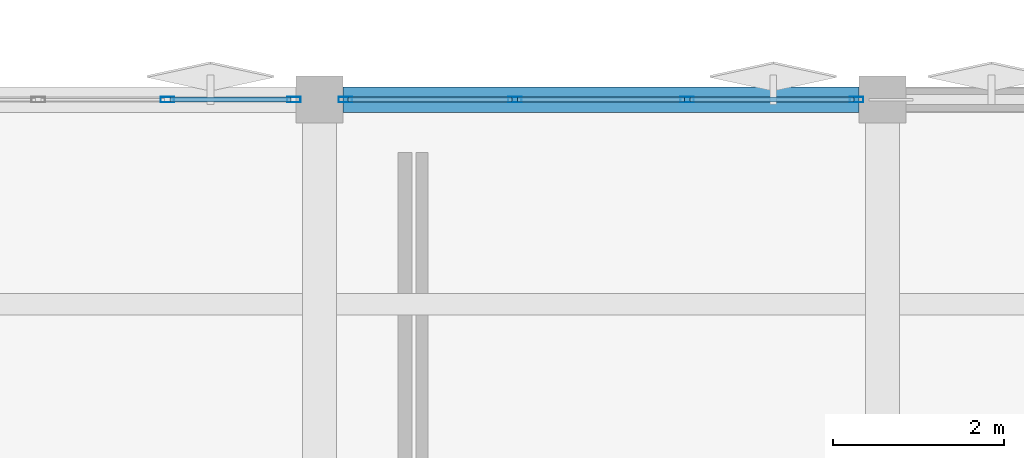
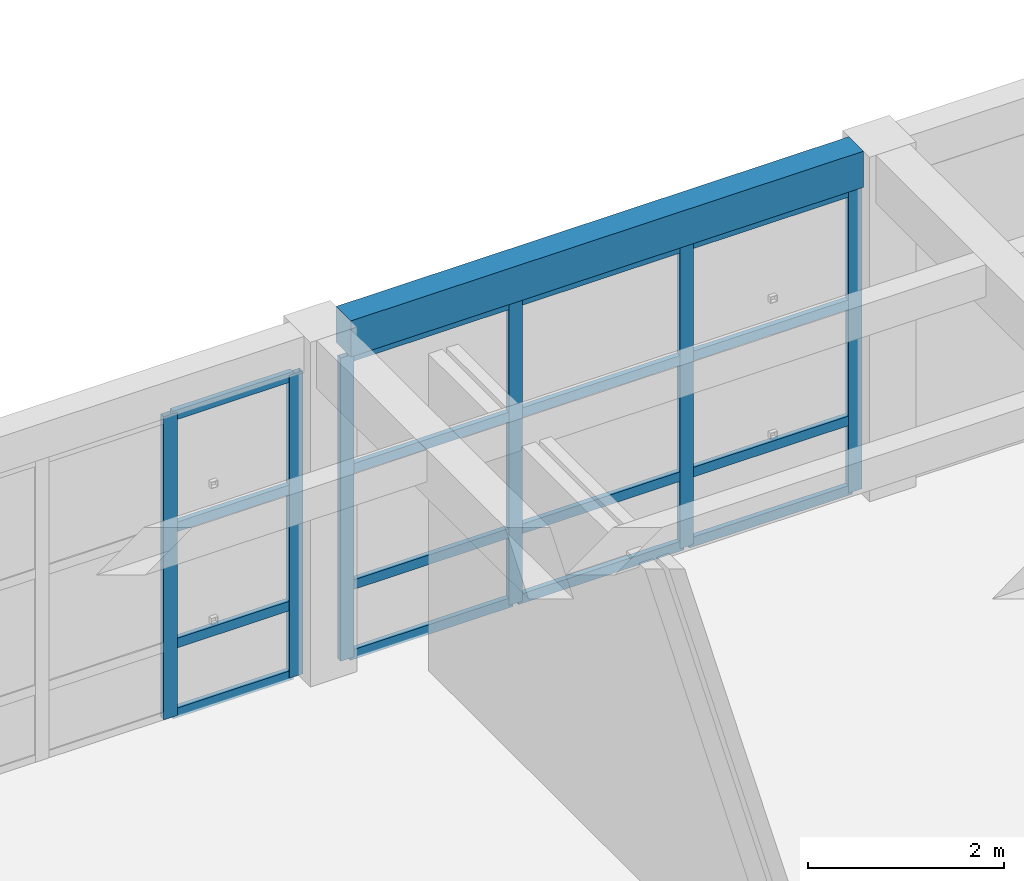
# One storey, part 19 of 36: 22 members, 1 beam, 2 elements without a shape of their own.
"""IFC4 building model written with IfcOpenShell, lengths in metres."""

from ifc_helpers import new_model, si_unit, direction, frame, origin, origin_2d, place, context, subcontext, project, spatial, rectangle, hollow_rectangle, extrude, material, layer, layer_set, material_profile, profile_set, type_object, element, aggregate, save


model = new_model("IFC4")

# Units and contexts
model_context = context("Model", 3, precision=1e-05, world=origin(), true_north=direction((0.0, 1.0)))
body_context = subcontext(model_context, "Body", "Model", "MODEL_VIEW")
ifc_project = project(units=[si_unit("LENGTHUNIT", "METRE"), si_unit("AREAUNIT", "SQUARE_METRE"), si_unit("VOLUMEUNIT", "CUBIC_METRE"), si_unit("PLANEANGLEUNIT", "RADIAN"), si_unit("MASSUNIT", "GRAM", prefix="KILO")], contexts=[model_context])

# Site, building, storey
site_placement = place(None, origin())
site = spatial("IfcSite", under=ifc_project, at=site_placement, CompositionType="ELEMENT")
building_placement = place(site_placement, origin())
building = spatial("IfcBuilding", under=site, at=building_placement, Name="Kharisveld Research Institute", CompositionType="ELEMENT")
storey_placement = place(building_placement, frame((0.0, 0.0, 27.60009765625)))
storey = spatial("IfcBuildingStorey", under=building, at=storey_placement, Name="L06", CompositionType="ELEMENT", Elevation=27.60009765625)

# Curtain wall, members
ifc_material_1 = material(Name="Thermally Broken Aluminium Curtain Wall", Category="aluminium")
ifc_layer_1 = layer(ifc_material_1, 0.159912109375)
ifc_layer_set_1 = layer_set([ifc_layer_1], Name="CW_SYS_04")
curtain_wall_type_1 = type_object("IfcCurtainWallType", Name="CW_SYS_04", PredefinedType="NOTDEFINED", material=ifc_layer_set_1)
curtain_wall_1_placement = place(storey_placement, origin())
curtain_wall_1 = element("IfcCurtainWall", 1, at=curtain_wall_1_placement, inside=storey, type_object=curtain_wall_type_1, Name="CW:V2:L06:N4", PredefinedType="NOTDEFINED")
ifc_material_2 = material(Name="Anodised Aluminium AW-6063-T6", Category="aluminium")
ifc_material_profile_1 = material_profile(ifc_material_2, hollow_rectangle(XDim=0.06494140625, YDim=0.159912109375, WallThickness=0.00390625, at=origin_2d()))
ifc_profile_set_1 = profile_set([ifc_material_profile_1], Name="Anodised Aluminium AW-6063-T6")
member_type_1 = type_object("IfcMemberType", Name="CW_MUL_160", PredefinedType="MULLION", material=ifc_profile_set_1)
member_1_placement = place(storey_placement, frame((145.81494140625, 60.800048828125, 0.0), z_axis=(0.0, 0.0, 1.0), x_axis=(0.0, 1.0, 0.0)))
member_1 = element("IfcMember", 2, at=member_1_placement, type_object=member_type_1, Name="CW-04 mullion 4", PredefinedType="MULLION", context=body_context, shape_type="SweptSolid", body=[
    extrude(hollow_rectangle(XDim=0.06494140625, YDim=0.159912109375, WallThickness=0.00390625, at=origin_2d()), origin(), (0.0, 0.0, 1.0), 3.77978515625),
])
member_2_placement = place(storey_placement, frame((147.297607421875, 60.800048828125, 0.0), z_axis=(0.0, 0.0, 1.0), x_axis=(0.0, 1.0, 0.0)))
member_2 = element("IfcMember", 3, at=member_2_placement, type_object=member_type_1, Name="CW-04 mullion 5", PredefinedType="MULLION", context=body_context, shape_type="SweptSolid", body=[
    extrude(hollow_rectangle(XDim=0.06494140625, YDim=0.159912109375, WallThickness=0.00390625, at=origin_2d()), origin(), (0.0, 0.0, 1.0), 3.77978515625),
])

ifc_material_3 = material(Name="Thermally Broken Aluminium Curtain Wall", Category="aluminium")
ifc_layer_2 = layer(ifc_material_3, 0.159912109375)
ifc_layer_set_2 = layer_set([ifc_layer_2], Name="CW_SYS_05")
curtain_wall_type_2 = type_object("IfcCurtainWallType", Name="CW_SYS_05", PredefinedType="NOTDEFINED", material=ifc_layer_set_2)
curtain_wall_2_placement = place(storey_placement, origin())
curtain_wall_2 = element("IfcCurtainWall", 4, at=curtain_wall_2_placement, inside=storey, type_object=curtain_wall_type_2, Name="CW:V2:L06:N5", PredefinedType="NOTDEFINED")
member_3_placement = place(storey_placement, frame((147.902587890625, 60.800048828125, 0.0), z_axis=(0.0, 0.0, 1.0), x_axis=(0.0, 1.0, 0.0)))
member_3 = element("IfcMember", 5, at=member_3_placement, type_object=member_type_1, Name="CW-05 mullion 1", PredefinedType="MULLION", context=body_context, shape_type="SweptSolid", body=[
    extrude(hollow_rectangle(XDim=0.06494140625, YDim=0.159912109375, WallThickness=0.00390625, at=origin_2d()), origin(), (0.0, 0.0, 1.0), 3.77978515625),
])
member_4_placement = place(storey_placement, frame((149.889892578125, 60.800048828125, 0.0), z_axis=(0.0, 0.0, 1.0), x_axis=(0.0, 1.0, 0.0)))
member_4 = element("IfcMember", 6, at=member_4_placement, type_object=member_type_1, Name="CW-05 mullion 2", PredefinedType="MULLION", context=body_context, shape_type="SweptSolid", body=[
    extrude(hollow_rectangle(XDim=0.06494140625, YDim=0.159912109375, WallThickness=0.00390625, at=origin_2d()), origin(), (0.0, 0.0, 1.0), 3.77978515625),
])
member_5_placement = place(storey_placement, frame((151.909912109375, 60.800048828125, 0.0), z_axis=(0.0, 0.0, 1.0), x_axis=(0.0, 1.0, 0.0)))
member_5 = element("IfcMember", 7, at=member_5_placement, type_object=member_type_1, Name="CW-05 mullion 3", PredefinedType="MULLION", context=body_context, shape_type="SweptSolid", body=[
    extrude(hollow_rectangle(XDim=0.06494140625, YDim=0.159912109375, WallThickness=0.00390625, at=origin_2d()), origin(), (0.0, 0.0, 1.0), 3.77978515625),
])
member_6_placement = place(storey_placement, frame((153.8974609375, 60.800048828125, 0.0), z_axis=(0.0, 0.0, 1.0), x_axis=(0.0, 1.0, 0.0)))
member_6 = element("IfcMember", 8, at=member_6_placement, type_object=member_type_1, Name="CW-05 mullion 4", PredefinedType="MULLION", context=body_context, shape_type="SweptSolid", body=[
    extrude(hollow_rectangle(XDim=0.06494140625, YDim=0.159912109375, WallThickness=0.00390625, at=origin_2d()), origin(), (0.0, 0.0, 1.0), 3.77978515625),
])

# Member
ifc_material_4 = material(Name="Anodised Aluminium AW-6063-T6", Category="aluminium")
ifc_material_profile_2 = material_profile(ifc_material_4, hollow_rectangle(XDim=0.06005859375, YDim=0.1201171875, WallThickness=0.00390625, at=origin_2d()))
ifc_profile_set_2 = profile_set([ifc_material_profile_2], Name="Anodised Aluminium AW-6063-T6")
member_type_2 = type_object("IfcMemberType", Name="CW_TRN_120", PredefinedType="USERDEFINED", material=ifc_profile_set_2)
member_7_placement = place(storey_placement, frame((145.847412109375, 60.800048828125, 0.02978515625), z_axis=(1.0, 0.0, 0.0), x_axis=(0.0, 1.0, 0.0)))
member_7 = element("IfcMember", 9, at=member_7_placement, type_object=member_type_2, Name="CW-04 transom 4.1", ObjectType="TRANSOM", PredefinedType="USERDEFINED", context=body_context, shape_type="SweptSolid", body=[
    extrude(hollow_rectangle(XDim=0.06005859375, YDim=0.1201171875, WallThickness=0.00390625, at=origin_2d()), origin(), (0.0, 0.0, 1.0), 1.41748046875),
])

member_8_placement = place(storey_placement, frame((145.847412109375, 60.800048828125, 0.89990234375), z_axis=(1.0, 0.0, 0.0), x_axis=(0.0, 1.0, 0.0)))
member_8 = element("IfcMember", 10, at=member_8_placement, type_object=member_type_2, Name="CW-04 transom 4.2", ObjectType="TRANSOM", PredefinedType="USERDEFINED", context=body_context, shape_type="SweptSolid", body=[
    extrude(hollow_rectangle(XDim=0.06005859375, YDim=0.1201171875, WallThickness=0.00390625, at=origin_2d()), origin(), (0.0, 0.0, 1.0), 1.41748046875),
])

member_9_placement = place(storey_placement, frame((145.847412109375, 60.800048828125, 2.349853515625), z_axis=(1.0, 0.0, 0.0), x_axis=(0.0, 1.0, 0.0)))
member_9 = element("IfcMember", 11, at=member_9_placement, type_object=member_type_2, Name="CW-04 transom 4.3", ObjectType="TRANSOM", PredefinedType="USERDEFINED", context=body_context, shape_type="SweptSolid", body=[
    extrude(hollow_rectangle(XDim=0.06005859375, YDim=0.1201171875, WallThickness=0.00390625, at=origin_2d()), origin(), (0.0, 0.0, 1.0), 1.41748046875),
])

member_10_placement = place(storey_placement, frame((145.847412109375, 60.800048828125, 3.75), z_axis=(1.0, 0.0, 0.0), x_axis=(0.0, 1.0, 0.0)))
member_10 = element("IfcMember", 12, at=member_10_placement, type_object=member_type_2, Name="CW-04 transom 4.4", ObjectType="TRANSOM", PredefinedType="USERDEFINED", context=body_context, shape_type="SweptSolid", body=[
    extrude(hollow_rectangle(XDim=0.06005859375, YDim=0.1201171875, WallThickness=0.00390625, at=origin_2d()), origin(), (0.0, 0.0, 1.0), 1.41748046875),
])

aggregate(curtain_wall_1, [member_1, member_2, member_7, member_8, member_9, member_10])

member_11_placement = place(storey_placement, frame((147.93505859375, 60.800048828125, 0.02978515625), z_axis=(1.0, 0.0, 0.0), x_axis=(0.0, 1.0, 0.0)))
member_11 = element("IfcMember", 13, at=member_11_placement, type_object=member_type_2, Name="CW-05 transom 1.1", ObjectType="TRANSOM", PredefinedType="USERDEFINED", context=body_context, shape_type="SweptSolid", body=[
    extrude(hollow_rectangle(XDim=0.06005859375, YDim=0.1201171875, WallThickness=0.00390625, at=origin_2d()), origin(), (0.0, 0.0, 1.0), 1.92236328125),
])

member_12_placement = place(storey_placement, frame((147.93505859375, 60.800048828125, 0.89990234375), z_axis=(1.0, 0.0, 0.0), x_axis=(0.0, 1.0, 0.0)))
member_12 = element("IfcMember", 14, at=member_12_placement, type_object=member_type_2, Name="CW-05 transom 1.2", ObjectType="TRANSOM", PredefinedType="USERDEFINED", context=body_context, shape_type="SweptSolid", body=[
    extrude(hollow_rectangle(XDim=0.06005859375, YDim=0.1201171875, WallThickness=0.00390625, at=origin_2d()), origin(), (0.0, 0.0, 1.0), 1.92236328125),
])

member_13_placement = place(storey_placement, frame((147.93505859375, 60.800048828125, 2.349853515625), z_axis=(1.0, 0.0, 0.0), x_axis=(0.0, 1.0, 0.0)))
member_13 = element("IfcMember", 15, at=member_13_placement, type_object=member_type_2, Name="CW-05 transom 1.3", ObjectType="TRANSOM", PredefinedType="USERDEFINED", context=body_context, shape_type="SweptSolid", body=[
    extrude(hollow_rectangle(XDim=0.06005859375, YDim=0.1201171875, WallThickness=0.00390625, at=origin_2d()), origin(), (0.0, 0.0, 1.0), 1.92236328125),
])

member_14_placement = place(storey_placement, frame((147.93505859375, 60.800048828125, 3.75), z_axis=(1.0, 0.0, 0.0), x_axis=(0.0, 1.0, 0.0)))
member_14 = element("IfcMember", 16, at=member_14_placement, type_object=member_type_2, Name="CW-05 transom 1.4", ObjectType="TRANSOM", PredefinedType="USERDEFINED", context=body_context, shape_type="SweptSolid", body=[
    extrude(hollow_rectangle(XDim=0.06005859375, YDim=0.1201171875, WallThickness=0.00390625, at=origin_2d()), origin(), (0.0, 0.0, 1.0), 1.92236328125),
])

member_15_placement = place(storey_placement, frame((149.922607421875, 60.800048828125, 0.02978515625), z_axis=(1.0, 0.0, 0.0), x_axis=(0.0, 1.0, 0.0)))
member_15 = element("IfcMember", 17, at=member_15_placement, type_object=member_type_2, Name="CW-05 transom 2.1", ObjectType="TRANSOM", PredefinedType="USERDEFINED", context=body_context, shape_type="SweptSolid", body=[
    extrude(hollow_rectangle(XDim=0.06005859375, YDim=0.1201171875, WallThickness=0.00390625, at=origin_2d()), origin(), (0.0, 0.0, 1.0), 1.954833984375),
])

member_16_placement = place(storey_placement, frame((149.922607421875, 60.800048828125, 0.89990234375), z_axis=(1.0, 0.0, 0.0), x_axis=(0.0, 1.0, 0.0)))
member_16 = element("IfcMember", 18, at=member_16_placement, type_object=member_type_2, Name="CW-05 transom 2.2", ObjectType="TRANSOM", PredefinedType="USERDEFINED", context=body_context, shape_type="SweptSolid", body=[
    extrude(hollow_rectangle(XDim=0.06005859375, YDim=0.1201171875, WallThickness=0.00390625, at=origin_2d()), origin(), (0.0, 0.0, 1.0), 1.954833984375),
])

member_17_placement = place(storey_placement, frame((149.922607421875, 60.800048828125, 2.349853515625), z_axis=(1.0, 0.0, 0.0), x_axis=(0.0, 1.0, 0.0)))
member_17 = element("IfcMember", 19, at=member_17_placement, type_object=member_type_2, Name="CW-05 transom 2.3", ObjectType="TRANSOM", PredefinedType="USERDEFINED", context=body_context, shape_type="SweptSolid", body=[
    extrude(hollow_rectangle(XDim=0.06005859375, YDim=0.1201171875, WallThickness=0.00390625, at=origin_2d()), origin(), (0.0, 0.0, 1.0), 1.954833984375),
])

member_18_placement = place(storey_placement, frame((149.922607421875, 60.800048828125, 3.75), z_axis=(1.0, 0.0, 0.0), x_axis=(0.0, 1.0, 0.0)))
member_18 = element("IfcMember", 20, at=member_18_placement, type_object=member_type_2, Name="CW-05 transom 2.4", ObjectType="TRANSOM", PredefinedType="USERDEFINED", context=body_context, shape_type="SweptSolid", body=[
    extrude(hollow_rectangle(XDim=0.06005859375, YDim=0.1201171875, WallThickness=0.00390625, at=origin_2d()), origin(), (0.0, 0.0, 1.0), 1.954833984375),
])

member_19_placement = place(storey_placement, frame((151.9423828125, 60.800048828125, 0.02978515625), z_axis=(1.0, 0.0, 0.0), x_axis=(0.0, 1.0, 0.0)))
member_19 = element("IfcMember", 21, at=member_19_placement, type_object=member_type_2, Name="CW-05 transom 3.1", ObjectType="TRANSOM", PredefinedType="USERDEFINED", context=body_context, shape_type="SweptSolid", body=[
    extrude(hollow_rectangle(XDim=0.06005859375, YDim=0.1201171875, WallThickness=0.00390625, at=origin_2d()), origin(), (0.0, 0.0, 1.0), 1.922607421875),
])

member_20_placement = place(storey_placement, frame((151.9423828125, 60.800048828125, 0.89990234375), z_axis=(1.0, 0.0, 0.0), x_axis=(0.0, 1.0, 0.0)))
member_20 = element("IfcMember", 22, at=member_20_placement, type_object=member_type_2, Name="CW-05 transom 3.2", ObjectType="TRANSOM", PredefinedType="USERDEFINED", context=body_context, shape_type="SweptSolid", body=[
    extrude(hollow_rectangle(XDim=0.06005859375, YDim=0.1201171875, WallThickness=0.00390625, at=origin_2d()), origin(), (0.0, 0.0, 1.0), 1.922607421875),
])

member_21_placement = place(storey_placement, frame((151.9423828125, 60.800048828125, 2.349853515625), z_axis=(1.0, 0.0, 0.0), x_axis=(0.0, 1.0, 0.0)))
member_21 = element("IfcMember", 23, at=member_21_placement, type_object=member_type_2, Name="CW-05 transom 3.3", ObjectType="TRANSOM", PredefinedType="USERDEFINED", context=body_context, shape_type="SweptSolid", body=[
    extrude(hollow_rectangle(XDim=0.06005859375, YDim=0.1201171875, WallThickness=0.00390625, at=origin_2d()), origin(), (0.0, 0.0, 1.0), 1.922607421875),
])

member_22_placement = place(storey_placement, frame((151.9423828125, 60.800048828125, 3.75), z_axis=(1.0, 0.0, 0.0), x_axis=(0.0, 1.0, 0.0)))
member_22 = element("IfcMember", 24, at=member_22_placement, type_object=member_type_2, Name="CW-05 transom 3.4", ObjectType="TRANSOM", PredefinedType="USERDEFINED", context=body_context, shape_type="SweptSolid", body=[
    extrude(hollow_rectangle(XDim=0.06005859375, YDim=0.1201171875, WallThickness=0.00390625, at=origin_2d()), origin(), (0.0, 0.0, 1.0), 1.922607421875),
])

aggregate(curtain_wall_2, [member_3, member_4, member_5, member_6, member_11, member_12, member_13, member_14, member_15, member_16, member_17, member_18, member_19, member_20, member_21, member_22])

# Beam
ifc_material_5 = material(Name="Concrete C40/50", Category="concrete")
ifc_material_profile_3 = material_profile(ifc_material_5, rectangle(XDim=0.300048828125, YDim=0.449951171875, at=origin_2d()))
ifc_profile_set_3 = profile_set([ifc_material_profile_3], Name="Concrete C40/50")
beam_type = type_object("IfcBeamType", Name="SP_RC_300x450", PredefinedType="SPANDREL", material=ifc_profile_set_3)
beam_placement = place(storey_placement, frame((147.875, 60.800048828125, 4.074951171875), z_axis=(1.0, 0.0, 0.0), x_axis=(0.0, 1.0, 0.0)))
element("IfcBeam", 25, at=beam_placement, inside=storey, type_object=beam_type, Name="BM:V2:L06:U5_3", PredefinedType="SPANDREL", context=body_context, shape_type="SweptSolid", body=[
    extrude(rectangle(XDim=0.300048828125, YDim=0.449951171875, at=origin_2d()), origin(), (0.0, 0.0, 1.0), 6.050048828125),
])

save(model, "model.ifc")
